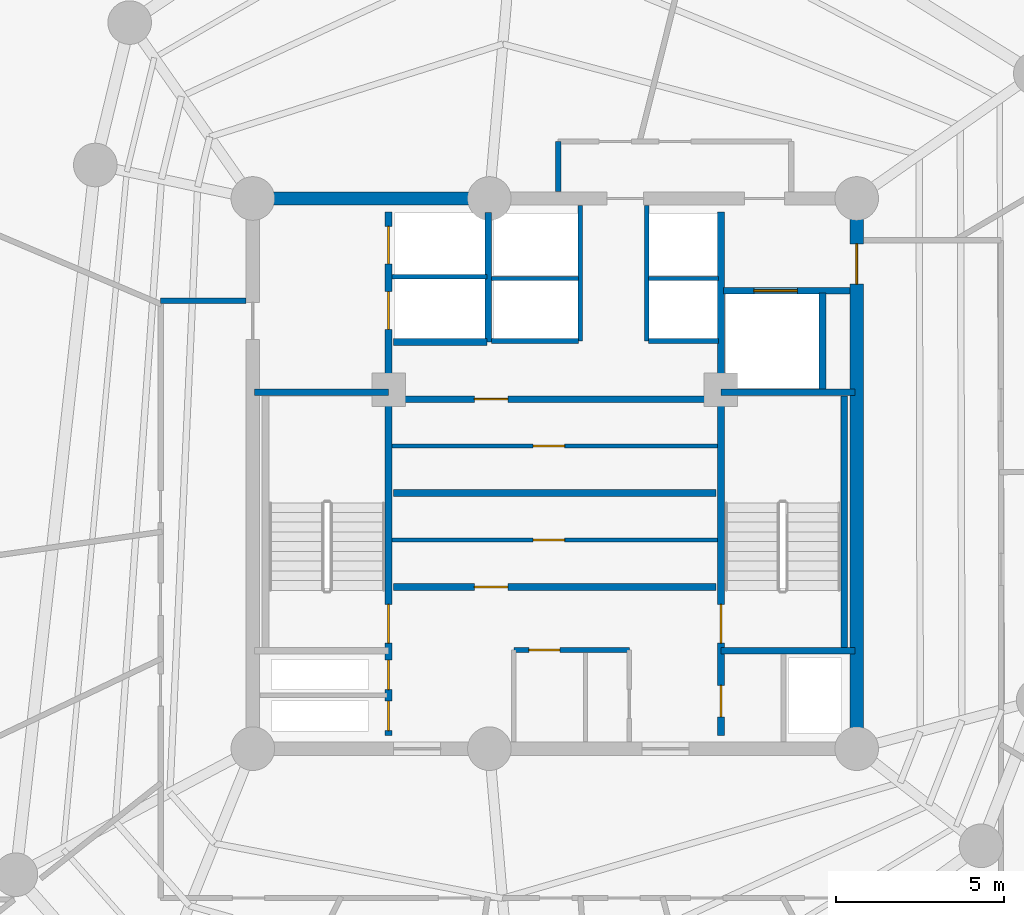
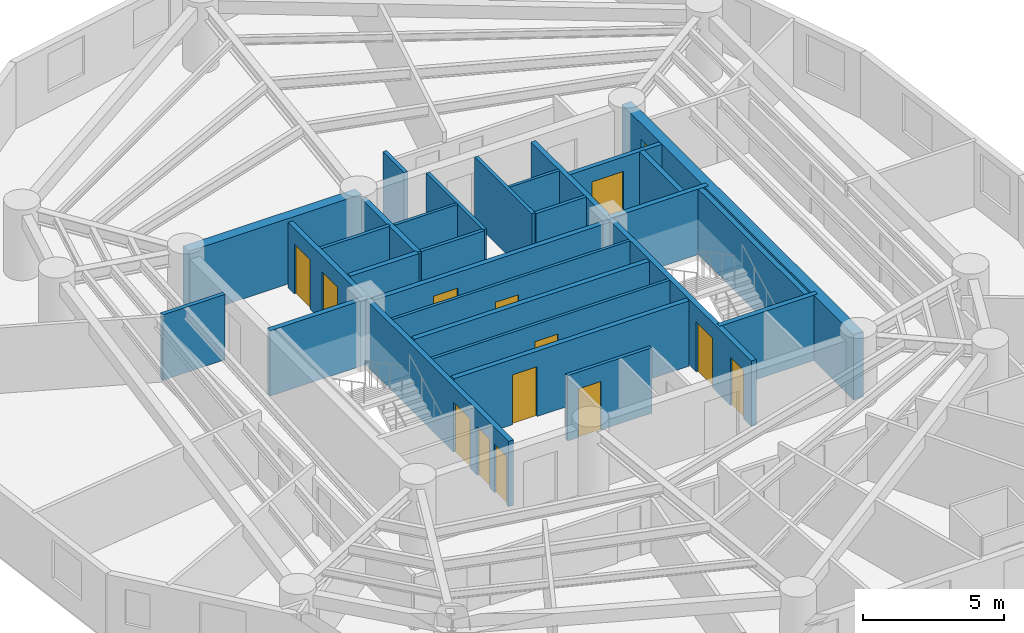
# One storey, part 4 of 7: 27 walls, 14 doors, 14 openings.
"""IFC4 building model written with IfcOpenShell, lengths in metres."""

from ifc_helpers import new_model, si_unit, direction, frame, frame_2d, origin, origin_with_axes, place, context, subcontext, project, spatial, rectangle, extrude, source, transform, mapped, material, layer, layer_set, type_object, element, fill, save


model = new_model("IFC4")

# Units and contexts
model_context = context("Model", 3, precision=1e-05, world=origin(), true_north=direction((0.0, 1.0)))
body_context = subcontext(model_context, "Body", "Model", "MODEL_VIEW")
ifc_project = project(units=[si_unit("LENGTHUNIT", "METRE"), si_unit("AREAUNIT", "SQUARE_METRE"), si_unit("VOLUMEUNIT", "CUBIC_METRE"), si_unit("PLANEANGLEUNIT", "RADIAN"), si_unit("MASSUNIT", "GRAM", prefix="KILO")], contexts=[model_context])

# Site, building, storey
site_placement = place(None, origin())
site = spatial("IfcSite", under=ifc_project, at=site_placement, CompositionType="ELEMENT")
building_placement = place(site_placement, origin())
building = spatial("IfcBuilding", under=site, at=building_placement, Name="Karkom Vertical University and Central Library", CompositionType="ELEMENT")
storey_placement = place(building_placement, frame((0.0, 0.0, 202.300048828125)))
storey = spatial("IfcBuildingStorey", under=building, at=storey_placement, Name="L59", CompositionType="ELEMENT", Elevation=202.300048828125)

# Walls
ifc_material_1 = material(Name="Insulated metal-stud drywall 160mm", Category="gypsum")
ifc_layer_1 = layer(ifc_material_1, 0.159912109375)
ifc_layer_set_1 = layer_set([ifc_layer_1], Name="Insulated metal-stud drywall 160mm")
wall_type_1 = type_object("IfcWallType", Name="INT-WL-COR-160", PredefinedType="PARTITIONING", material=ifc_layer_set_1)
wall_1_placement = place(storey_placement, frame((16.75, 31.64990234375, 0.0), z_axis=(0.0, 0.0, 1.0), x_axis=(1.0, 0.0, 0.0)))
element("IfcWall", 1, at=wall_1_placement, inside=storey, type_object=wall_type_1, Name="Level 59 Interior Partition Wall L59-CORW-CW-003", PredefinedType="PARTITIONING", context=body_context, shape_type="SweptSolid", body=[
    extrude(rectangle(XDim=2.54296875, YDim=0.159912109375, at=frame_2d((1.271484375, 0.0))), origin(), (0.0, 0.0, 1.0), 2.824951171875),
])
wall_2_placement = place(storey_placement, frame((28.60009765625, 34.906982421875, 0.0), z_axis=(0.0, 0.0, 1.0), x_axis=(0.0, 1.0, 0.0)))
element("IfcWall", 2, at=wall_2_placement, inside=storey, type_object=wall_type_1, Name="Level 59 Interior Partition Wall L59-CORW-CW-006", PredefinedType="PARTITIONING", context=body_context, shape_type="SweptSolid", body=[
    extrude(rectangle(XDim=1.492919921875, YDim=0.159912109375, at=frame_2d((0.74658203125, 0.0))), origin(), (0.0, 0.0, 1.0), 2.824951171875),
])

# Wall, opening, door
ifc_material_2 = material(Name="Moisture-resistant drywall 120mm", Category="gypsum")
ifc_layer_2 = layer(ifc_material_2, 0.1201171875)
ifc_layer_set_2 = layer_set([ifc_layer_2], Name="Moisture-resistant drywall 120mm")
wall_type_2 = type_object("IfcWallType", Name="INT-WL-INT-120F", PredefinedType="PARTITIONING", material=ifc_layer_set_2)
wall_3_placement = place(storey_placement, frame((23.652099609375, 24.52001953125, 0.0), z_axis=(0.0, 0.0, 1.0), x_axis=(1.0, 0.0, 0.0)))
wall_3 = element("IfcWall", 3, at=wall_3_placement, inside=storey, type_object=wall_type_2, Name="Level 59 Interior Partition Wall L59-CW-B1-K3H", PredefinedType="PARTITIONING", context=body_context, shape_type="SweptSolid", body=[
    extrude(rectangle(XDim=9.697509765625, YDim=0.1201171875, at=frame_2d((4.8486328125, 0.0))), origin(), (0.0, 0.0, 1.0), 2.824951171875),
])
opening_1_placement = place(wall_3_placement, frame((4.199951171875, 0.0, 0.0)))
opening_1 = element("IfcOpeningElement", 4, at=opening_1_placement, cuts=wall_3, Name="Opening D-WC1", PredefinedType="OPENING", context=body_context, shape_type="SweptSolid", body=[
    extrude(rectangle(XDim=0.93994140625, YDim=2.10009765625, at=frame_2d((0.469970703125, 1.050048828125))), frame((0.0, 0.070068359375, 0.0), z_axis=(0.0, -1.0, 0.0), x_axis=(1.0, 0.0, 0.0)), (0.0, 0.0, 1.0), 0.14013671875),
])
ifc_material_3 = material(Name="Fire-rated laminate moisture-resistant door", Category="wood")
door_type_1 = type_object("IfcDoorType", Name="INT-DR-WC1", OperationType="NOTDEFINED", PredefinedType="DOOR", material=ifc_material_3)
shared_shape_1 = source(origin_with_axes(), body_context, "Body", "SweptSolid", [
    extrude(rectangle(XDim=0.93994140625, YDim=2.10009765625, at=frame_2d((0.469970703125, 1.050048828125))), frame((0.0, 0.02490234375, 0.0), z_axis=(0.0, -1.0, 0.0), x_axis=(1.0, 0.0, 0.0)), (0.0, 0.0, 1.0), 0.050048828125),
])
door_1_placement = place(opening_1_placement, origin())
door_1 = element("IfcDoor", 5, at=door_1_placement, inside=storey, type_object=door_type_1, Name="Level 59 B1 Core WC Strip Door", OperationType="SINGLE_SWING_RIGHT", OverallHeight=2.10009765625, OverallWidth=0.93994140625, PredefinedType="DOOR", context=body_context, shape_type="MappedRepresentation", body=[
    mapped(shared_shape_1, transform((0.0, 0.0, 0.0), scale=1.0)),
])
fill(opening_1, door_1)

wall_4_placement = place(storey_placement, frame((23.652099609375, 27.320068359375, 0.0), z_axis=(0.0, 0.0, 1.0), x_axis=(1.0, 0.0, 0.0)))
wall_4 = element("IfcWall", 6, at=wall_4_placement, inside=storey, type_object=wall_type_2, Name="Level 59 Interior Partition Wall L59-CW-B2-K3H", PredefinedType="PARTITIONING", context=body_context, shape_type="SweptSolid", body=[
    extrude(rectangle(XDim=9.697509765625, YDim=0.1201171875, at=frame_2d((4.8486328125, 0.0))), origin(), (0.0, 0.0, 1.0), 2.824951171875),
])
opening_2_placement = place(wall_4_placement, frame((4.199951171875, 0.0, 0.0)))
opening_2 = element("IfcOpeningElement", 7, at=opening_2_placement, cuts=wall_4, Name="Opening D-WC1", PredefinedType="OPENING", context=body_context, shape_type="SweptSolid", body=[
    extrude(rectangle(XDim=0.93994140625, YDim=2.10009765625, at=frame_2d((0.469970703125, 1.050048828125))), frame((0.0, 0.070068359375, 0.0), z_axis=(0.0, -1.0, 0.0), x_axis=(1.0, 0.0, 0.0)), (0.0, 0.0, 1.0), 0.14013671875),
])
door_2_placement = place(opening_2_placement, origin())
door_2 = element("IfcDoor", 8, at=door_2_placement, inside=storey, type_object=door_type_1, Name="Level 59 B2 Core WC Strip Door", OperationType="SINGLE_SWING_RIGHT", OverallHeight=2.10009765625, OverallWidth=0.93994140625, PredefinedType="DOOR", context=body_context, shape_type="MappedRepresentation", body=[
    mapped(shared_shape_1, transform((0.0, 0.0, 0.0), scale=1.0)),
])
fill(opening_2, door_2)

# Walls
ifc_layer_3 = layer(ifc_material_2, 0.1201171875)
ifc_layer_set_3 = layer_set([ifc_layer_3], Name="Moisture-resistant drywall 120mm")
wall_type_3 = type_object("IfcWallType", Name="INT-WL-INT-120H", PredefinedType="PARTITIONING", material=ifc_layer_set_3)
wall_5_placement = place(storey_placement, frame((26.6201171875, 32.320068359375, 0.0), z_axis=(0.0, 0.0, 1.0), x_axis=(1.0, 0.0, 0.0)))
element("IfcWall", 9, at=wall_5_placement, inside=storey, type_object=wall_type_3, Name="Level 59 Interior Partition Wall L59-CW-PH-MW", PredefinedType="PARTITIONING", context=body_context, shape_type="SweptSolid", body=[
    extrude(rectangle(XDim=2.579833984375, YDim=0.1201171875, at=frame_2d((1.2900390625, 0.0))), origin(), (0.0, 0.0, 1.0), 2.824951171875),
])
wall_6_placement = place(storey_placement, frame((31.300048828125, 32.320068359375, 0.0), z_axis=(0.0, 0.0, 1.0), x_axis=(1.0, 0.0, 0.0)))
element("IfcWall", 10, at=wall_6_placement, inside=storey, type_object=wall_type_3, Name="Level 59 Interior Partition Wall L59-CW-PH-ME", PredefinedType="PARTITIONING", context=body_context, shape_type="SweptSolid", body=[
    extrude(rectangle(XDim=2.074951171875, YDim=0.1201171875, at=frame_2d((1.03759765625, 0.0))), origin(), (0.0, 0.0, 1.0), 2.824951171875),
])

# Wall, opening, door
ifc_material_4 = material(Name="Metal-stud gypsum partition 140mm", Category="gypsum")
ifc_layer_4 = layer(ifc_material_4, 0.139892578125)
ifc_layer_set_4 = layer_set([ifc_layer_4], Name="Metal-stud gypsum partition 140mm")
wall_type_4 = type_object("IfcWallType", Name="INT-WL-SUB-140", PredefinedType="PARTITIONING", material=ifc_layer_set_4)
wall_7_placement = place(storey_placement, frame((27.280029296875, 21.239990234375, 0.0), z_axis=(0.0, 0.0, 1.0), x_axis=(1.0, 0.0, 0.0)))
wall_7 = element("IfcWall", 11, at=wall_7_placement, inside=storey, type_object=wall_type_4, Name="Level 59 Interior Partition Wall L59-CW-KBAY-N", PredefinedType="PARTITIONING", context=body_context, shape_type="SweptSolid", body=[
    extrude(rectangle(XDim=3.43994140625, YDim=0.139892578125, at=frame_2d((1.719970703125, 0.0))), origin(), (0.0, 0.0, 1.0), 2.824951171875),
])
opening_3_placement = place(wall_7_placement, frame((0.449951171875, 0.0, 0.0)))
opening_3 = element("IfcOpeningElement", 12, at=opening_3_placement, cuts=wall_7, Name="Opening D-SVC1", PredefinedType="OPENING", context=body_context, shape_type="SweptSolid", body=[
    extrude(rectangle(XDim=0.919921875, YDim=2.10009765625, at=frame_2d((0.4599609375, 1.050048828125))), frame((0.0, 0.080078125, 0.0), z_axis=(0.0, -1.0, 0.0), x_axis=(1.0, 0.0, 0.0)), (0.0, 0.0, 1.0), 0.159912109375),
])
ifc_material_5 = material(Name="Painted timber service door", Category="wood")
door_type_2 = type_object("IfcDoorType", Name="INT-DR-SVC1", OperationType="NOTDEFINED", PredefinedType="DOOR", material=ifc_material_5)
shared_shape_2 = source(origin_with_axes(), body_context, "Body", "SweptSolid", [
    extrude(rectangle(XDim=0.919921875, YDim=2.10009765625, at=frame_2d((0.4599609375, 1.050048828125))), frame((0.0, 0.02490234375, 0.0), z_axis=(0.0, -1.0, 0.0), x_axis=(1.0, 0.0, 0.0)), (0.0, 0.0, 1.0), 0.050048828125),
])
door_3_placement = place(opening_3_placement, origin())
door_3 = element("IfcDoor", 13, at=door_3_placement, inside=storey, type_object=door_type_2, Name="Level 59 Copy Room Door", OperationType="SINGLE_SWING_LEFT", OverallHeight=2.10009765625, OverallWidth=0.919921875, PredefinedType="DOOR", context=body_context, shape_type="MappedRepresentation", body=[
    mapped(shared_shape_2, transform((0.0, 0.0, 0.0), scale=1.0)),
])
fill(opening_3, door_3)

# Walls
ifc_layer_5 = layer(ifc_material_4, 0.139892578125)
ifc_layer_set_5 = layer_set([ifc_layer_5], Name="Metal-stud gypsum partition 140mm")
wall_type_5 = type_object("IfcWallType", Name="INT-WL-SUB-140H", PredefinedType="PARTITIONING", material=ifc_layer_set_5)
for number, where, z_axis, x_axis, name in (
    (14, (29.260009765625, 30.449951171875, 0.0), (0.0, 0.0, 1.0), (0.0, 1.0, 0.0), "Level 59 Interior Partition Wall L59-CW-PH-W"),
    (15, (31.239990234375, 30.449951171875, 0.0), (0.0, 0.0, 1.0), (0.0, 1.0, 0.0), "Level 59 Interior Partition Wall L59-CW-PH-E"),
):
    element("IfcWall", number, at=place(storey_placement, frame(where, z_axis=z_axis, x_axis=x_axis)), inside=storey, type_object=wall_type_5, Name=name, PredefinedType="PARTITIONING", context=body_context, shape_type="SweptSolid", body=[
        extrude(rectangle(XDim=4.04296875, YDim=0.139892578125, at=frame_2d((2.021484375, 0.0))), origin(), (0.0, 0.0, 1.0), 2.824951171875),
    ])
wall_8_placement = place(storey_placement, frame((26.6201171875, 30.449951171875, 0.0), z_axis=(0.0, 0.0, 1.0), x_axis=(1.0, 0.0, 0.0)))
element("IfcWall", 16, at=wall_8_placement, inside=storey, type_object=wall_type_5, Name="Level 59 Interior Partition Wall L59-CW-PH-S1", PredefinedType="PARTITIONING", context=body_context, shape_type="SweptSolid", body=[
    extrude(rectangle(XDim=2.579833984375, YDim=0.139892578125, at=frame_2d((1.2900390625, 0.0))), origin(), (0.0, 0.0, 1.0), 2.824951171875),
])
wall_9_placement = place(storey_placement, frame((31.300048828125, 30.449951171875, 0.0), z_axis=(0.0, 0.0, 1.0), x_axis=(1.0, 0.0, 0.0)))
element("IfcWall", 17, at=wall_9_placement, inside=storey, type_object=wall_type_5, Name="Level 59 Interior Partition Wall L59-CW-PH-S2", PredefinedType="PARTITIONING", context=body_context, shape_type="SweptSolid", body=[
    extrude(rectangle(XDim=2.074951171875, YDim=0.139892578125, at=frame_2d((1.03759765625, 0.0))), origin(), (0.0, 0.0, 1.0), 2.824951171875),
])
ifc_layer_6 = layer(ifc_material_4, 0.139892578125)
ifc_layer_set_6 = layer_set([ifc_layer_6], Name="Metal-stud gypsum partition 140mm")
wall_type_6 = type_object("IfcWallType", Name="INT-WL-SUB-140X", PredefinedType="PARTITIONING", material=ifc_layer_set_6)
wall_10_placement = place(storey_placement, frame((23.652099609375, 32.3701171875, 0.0), z_axis=(0.0, 0.0, 1.0), x_axis=(1.0, 0.0, 0.0)))
element("IfcWall", 18, at=wall_10_placement, inside=storey, type_object=wall_type_6, Name="Level 59 Interior Partition Wall L59-CW-FFL-M", PredefinedType="PARTITIONING", context=body_context, shape_type="SweptSolid", body=[
    extrude(rectangle(XDim=2.827880859375, YDim=0.139892578125, at=frame_2d((1.4140625, 0.0))), origin(), (0.0, 0.0, 1.0), 2.824951171875),
])

# Wall, opening, door
ifc_material_6 = material(Name="Twin-stud acoustic drywall 180mm", Category="gypsum")
ifc_layer_7 = layer(ifc_material_6, 0.179931640625)
ifc_layer_set_7 = layer_set([ifc_layer_7], Name="Twin-stud acoustic drywall 180mm")
wall_type_7 = type_object("IfcWallType", Name="INT-WL-TEN-180F", PredefinedType="PARTITIONING", material=ifc_layer_set_7)
wall_11_placement = place(storey_placement, frame((33.534912109375, 31.949951171875, 0.0), z_axis=(0.0, 0.0, 1.0), x_axis=(1.0, 0.0, 0.0)))
wall_11 = element("IfcWall", 19, at=wall_11_placement, inside=storey, type_object=wall_type_7, Name="Level 59 Interior Partition Wall L59-CW-SVL-N", PredefinedType="PARTITIONING", context=body_context, shape_type="SweptSolid", body=[
    extrude(rectangle(XDim=3.7587890625, YDim=0.179931640625, at=frame_2d((1.87939453125, 0.0))), origin(), (0.0, 0.0, 1.0), 2.824951171875),
])
opening_4_placement = place(wall_11_placement, frame((0.89990234375, 0.0, 0.0)))
opening_4 = element("IfcOpeningElement", 20, at=opening_4_placement, cuts=wall_11, Name="Opening LD-SV1", PredefinedType="OPENING", context=body_context, shape_type="SweptSolid", body=[
    extrude(rectangle(XDim=1.300048828125, YDim=2.199951171875, at=frame_2d((0.64990234375, 1.10009765625))), frame((0.0, 0.10009765625, 0.0), z_axis=(0.0, -1.0, 0.0), x_axis=(1.0, 0.0, 0.0)), (0.0, 0.0, 1.0), 0.199951171875),
])
ifc_material_7 = material(Name="Brushed stainless-steel landing door", Category="steel")
door_type_3 = type_object("IfcDoorType", Name="INT-DR-LD-SV1", OperationType="SLIDING_TO_LEFT", PredefinedType="DOOR", material=ifc_material_7)
shared_shape_3 = source(origin_with_axes(), body_context, "Body", "SweptSolid", [
    extrude(rectangle(XDim=1.300048828125, YDim=2.199951171875, at=frame_2d((0.64990234375, 1.10009765625))), frame((0.0, 0.02490234375, 0.0), z_axis=(0.0, -1.0, 0.0), x_axis=(1.0, 0.0, 0.0)), (0.0, 0.0, 1.0), 0.050048828125),
])
door_4_placement = place(opening_4_placement, origin())
door_4 = element("IfcDoor", 21, at=door_4_placement, inside=storey, type_object=door_type_3, Name="Level 59 Service Lift Landing Door LD-SV1", OperationType="SLIDING_TO_LEFT", OverallHeight=2.199951171875, OverallWidth=1.300048828125, PredefinedType="DOOR", context=body_context, shape_type="MappedRepresentation", body=[
    mapped(shared_shape_3, transform((0.0, 0.0, 0.0), scale=1.0)),
])
fill(opening_4, door_4)

ifc_material_8 = material(Name="Concrete C50/60", Category="concrete")
ifc_layer_8 = layer(ifc_material_8, 0.39990234375)
ifc_layer_set_8 = layer_set([ifc_layer_8], Name="Concrete C50/60")
wall_type_8 = type_object("IfcWallType", Name="STR-WL-CW-400", PredefinedType="SHEAR", material=ifc_layer_set_8)
wall_12_placement = place(storey_placement, frame((37.5, 18.300048828125, 0.0), z_axis=(0.0, 0.0, 1.0), x_axis=(0.0, 1.0, 0.0)))
wall_12 = element("IfcWall", 22, at=wall_12_placement, inside=storey, type_object=wall_type_8, Name="Level 59 Central Core Shear Wall EW", PredefinedType="SHEAR", context=body_context, shape_type="SweptSolid", body=[
    extrude(rectangle(XDim=16.39990234375, YDim=0.39990234375, at=frame_2d((8.199951171875, 0.0))), origin(), (0.0, 0.0, 1.0), 2.824951171875),
])
opening_5_placement = place(wall_12_placement, frame((13.85009765625, 0.0, 0.0)))
opening_5 = element("IfcOpeningElement", 23, at=opening_5_placement, cuts=wall_12, Name="Opening FD-SUB1", PredefinedType="OPENING", context=body_context, shape_type="SweptSolid", body=[
    extrude(rectangle(XDim=1.199951171875, YDim=2.14990234375, at=frame_2d((0.60009765625, 1.074951171875))), frame((0.0, 0.2099609375, 0.0), z_axis=(0.0, -1.0, 0.0), x_axis=(1.0, 0.0, 0.0)), (0.0, 0.0, 1.0), 0.419921875),
])
ifc_material_9 = material(Name="Painted steel fire door", Category="steel")
door_type_4 = type_object("IfcDoorType", Name="INT-DR-SUB1", OperationType="NOTDEFINED", PredefinedType="DOOR", material=ifc_material_9)
shared_shape_4 = source(origin_with_axes(), body_context, "Body", "SweptSolid", [
    extrude(rectangle(XDim=1.199951171875, YDim=2.14990234375, at=frame_2d((0.60009765625, 1.074951171875))), frame((0.0, 0.02490234375, 0.0), z_axis=(0.0, -1.0, 0.0), x_axis=(1.0, 0.0, 0.0)), (0.0, 0.0, 1.0), 0.050048828125),
])
door_5_placement = place(opening_5_placement, origin())
door_5 = element("IfcDoor", 24, at=door_5_placement, inside=storey, type_object=door_type_4, Name="Level 59 East Corridor Service Lobby Door", OperationType="SINGLE_SWING_RIGHT", OverallHeight=2.14990234375, OverallWidth=1.199951171875, PredefinedType="DOOR", context=body_context, shape_type="MappedRepresentation", body=[
    mapped(shared_shape_4, transform((0.0, 0.0, 0.0), scale=1.0)),
])
fill(opening_5, door_5)

# Wall
wall_13_placement = place(storey_placement, frame((26.550048828125, 34.699951171875, 0.0), z_axis=(0.0, 0.0, 1.0), x_axis=(-1.0, 0.0, 0.0)))
element("IfcWall", 25, at=wall_13_placement, inside=storey, type_object=wall_type_8, Name="Level 59 Central Core Shear Wall NW2", PredefinedType="SHEAR", context=body_context, shape_type="SweptSolid", body=[
    extrude(rectangle(XDim=7.050048828125, YDim=0.39990234375, at=frame_2d((3.52490234375, 0.0))), origin(), (0.0, 0.0, 1.0), 2.824951171875),
])

# Wall, openings, doors
ifc_material_10 = material(Name="Concrete C45/55", Category="concrete")
ifc_layer_9 = layer(ifc_material_10, 0.199951171875)
ifc_layer_set_9 = layer_set([ifc_layer_9], Name="Concrete C45/55")
wall_type_9 = type_object("IfcWallType", Name="STR-WL-ST-200", PredefinedType="SHEAR", material=ifc_layer_set_9)
wall_14_placement = place(storey_placement, frame((23.544921875, 18.699951171875, 0.0), z_axis=(0.0, 0.0, 1.0), x_axis=(0.0, 1.0, 0.0)))
wall_14 = element("IfcWall", 26, at=wall_14_placement, inside=storey, type_object=wall_type_9, Name="Level 59 Core Shaft Wall L59-CW-ST1-E", PredefinedType="SHEAR", context=body_context, shape_type="SweptSolid", body=[
    extrude(rectangle(XDim=15.60009765625, YDim=0.199951171875, at=frame_2d((7.800048828125, 0.0))), origin(), (0.0, 0.0, 1.0), 2.824951171875),
])
opening_6_placement = place(wall_14_placement, frame((2.75, 0.0, 0.0)))
opening_6 = element("IfcOpeningElement", 27, at=opening_6_placement, cuts=wall_14, Name="Opening FD-ST1", PredefinedType="OPENING", context=body_context, shape_type="SweptSolid", body=[
    extrude(rectangle(XDim=1.14990234375, YDim=2.14990234375, at=frame_2d((0.574951171875, 1.074951171875))), frame((0.0, 0.10986328125, 0.0), z_axis=(0.0, -1.0, 0.0), x_axis=(1.0, 0.0, 0.0)), (0.0, 0.0, 1.0), 0.219970703125),
])
opening_7_placement = place(wall_14_placement, frame((0.139892578125, 0.0, 0.0)))
opening_7 = element("IfcOpeningElement", 28, at=opening_7_placement, cuts=wall_14, Name="Opening FD-RIS", PredefinedType="OPENING", context=body_context, shape_type="SweptSolid", body=[
    extrude(rectangle(XDim=0.8798828125, YDim=2.10009765625, at=frame_2d((0.43994140625, 1.050048828125))), frame((0.0, 0.10986328125, 0.0), z_axis=(0.0, -1.0, 0.0), x_axis=(1.0, 0.0, 0.0)), (0.0, 0.0, 1.0), 0.219970703125),
])
opening_8_placement = place(wall_14_placement, frame((1.360107421875, 0.0, 0.0)))
opening_8 = element("IfcOpeningElement", 29, at=opening_8_placement, cuts=wall_14, Name="Opening FD-RIS", PredefinedType="OPENING", context=body_context, shape_type="SweptSolid", body=[
    extrude(rectangle(XDim=0.8798828125, YDim=2.10009765625, at=frame_2d((0.43994140625, 1.050048828125))), frame((0.0, 0.10986328125, 0.0), z_axis=(0.0, -1.0, 0.0), x_axis=(1.0, 0.0, 0.0)), (0.0, 0.0, 1.0), 0.219970703125),
])
opening_9_placement = place(wall_14_placement, frame((12.10009765625, 0.0, 0.0)))
opening_9 = element("IfcOpeningElement", 30, at=opening_9_placement, cuts=wall_14, Name="Opening LD-FFL", PredefinedType="OPENING", context=body_context, shape_type="SweptSolid", body=[
    extrude(rectangle(XDim=1.1201171875, YDim=2.14990234375, at=frame_2d((0.56005859375, 1.074951171875))), frame((0.0, 0.10986328125, 0.0), z_axis=(0.0, -1.0, 0.0), x_axis=(1.0, 0.0, 0.0)), (0.0, 0.0, 1.0), 0.219970703125),
])
opening_10_placement = place(wall_14_placement, frame((14.050048828125, 0.0, 0.0)))
opening_10 = element("IfcOpeningElement", 31, at=opening_10_placement, cuts=wall_14, Name="Opening LD-FFL", PredefinedType="OPENING", context=body_context, shape_type="SweptSolid", body=[
    extrude(rectangle(XDim=1.1201171875, YDim=2.14990234375, at=frame_2d((0.56005859375, 1.074951171875))), frame((0.0, 0.10986328125, 0.0), z_axis=(0.0, -1.0, 0.0), x_axis=(1.0, 0.0, 0.0)), (0.0, 0.0, 1.0), 0.219970703125),
])
ifc_material_11 = material(Name="Painted steel acoustic fire door", Category="steel")
door_type_5 = type_object("IfcDoorType", Name="INT-DR-ST1", OperationType="NOTDEFINED", PredefinedType="DOOR", material=ifc_material_11)
shared_shape_5 = source(origin_with_axes(), body_context, "Body", "SweptSolid", [
    extrude(rectangle(XDim=1.14990234375, YDim=2.14990234375, at=frame_2d((0.574951171875, 1.074951171875))), frame((0.0, 0.02490234375, 0.0), z_axis=(0.0, -1.0, 0.0), x_axis=(1.0, 0.0, 0.0)), (0.0, 0.0, 1.0), 0.050048828125),
])
door_6_placement = place(opening_6_placement, origin())
door_6 = element("IfcDoor", 32, at=door_6_placement, inside=storey, type_object=door_type_5, Name="Level 59 Stair ST-1 Fire Door", OperationType="SINGLE_SWING_LEFT", OverallHeight=2.14990234375, OverallWidth=1.14990234375, PredefinedType="DOOR", context=body_context, shape_type="MappedRepresentation", body=[
    mapped(shared_shape_5, transform((0.0, 0.0, 0.0), scale=1.0)),
])
fill(opening_6, door_6)
ifc_material_12 = material(Name="Painted steel riser access door", Category="steel")
door_type_6 = type_object("IfcDoorType", Name="INT-DR-RIS", OperationType="NOTDEFINED", PredefinedType="DOOR", material=ifc_material_12)
shared_shape_6 = source(origin_with_axes(), body_context, "Body", "SweptSolid", [
    extrude(rectangle(XDim=0.8798828125, YDim=2.10009765625, at=frame_2d((0.43994140625, 1.050048828125))), frame((0.0, 0.02490234375, 0.0), z_axis=(0.0, -1.0, 0.0), x_axis=(1.0, 0.0, 0.0)), (0.0, 0.0, 1.0), 0.050048828125),
])
door_7_placement = place(opening_7_placement, origin())
door_7 = element("IfcDoor", 33, at=door_7_placement, inside=storey, type_object=door_type_6, Name="Level 59 Electrical Riser Access Door", OperationType="SINGLE_SWING_RIGHT", OverallHeight=2.10009765625, OverallWidth=0.8798828125, PredefinedType="DOOR", context=body_context, shape_type="MappedRepresentation", body=[
    mapped(shared_shape_6, transform((0.0, 0.0, 0.0), scale=1.0)),
])
fill(opening_7, door_7)
door_8_placement = place(opening_8_placement, origin())
door_8 = element("IfcDoor", 34, at=door_8_placement, inside=storey, type_object=door_type_6, Name="Level 59 Telecom Riser Access Door", OperationType="SINGLE_SWING_LEFT", OverallHeight=2.10009765625, OverallWidth=0.8798828125, PredefinedType="DOOR", context=body_context, shape_type="MappedRepresentation", body=[
    mapped(shared_shape_6, transform((0.0, 0.0, 0.0), scale=1.0)),
])
fill(opening_8, door_8)
ifc_material_13 = material(Name="Fire-rated stainless-steel landing door", Category="steel")
door_type_7 = type_object("IfcDoorType", Name="INT-DR-LD-FFL", OperationType="SLIDING_TO_LEFT", PredefinedType="DOOR", material=ifc_material_13)
shared_shape_7 = source(origin_with_axes(), body_context, "Body", "SweptSolid", [
    extrude(rectangle(XDim=1.1201171875, YDim=2.14990234375, at=frame_2d((0.56005859375, 1.074951171875))), frame((0.0, 0.02490234375, 0.0), z_axis=(0.0, -1.0, 0.0), x_axis=(1.0, 0.0, 0.0)), (0.0, 0.0, 1.0), 0.050048828125),
])
door_9_placement = place(opening_9_placement, origin())
door_9 = element("IfcDoor", 35, at=door_9_placement, inside=storey, type_object=door_type_7, Name="Level 59 Firefighting Lift FFL-1 Landing Door", OperationType="SLIDING_TO_LEFT", OverallHeight=2.14990234375, OverallWidth=1.1201171875, PredefinedType="DOOR", context=body_context, shape_type="MappedRepresentation", body=[
    mapped(shared_shape_7, transform((0.0, 0.0, 0.0), scale=1.0)),
])
fill(opening_9, door_9)
door_10_placement = place(opening_10_placement, origin())
door_10 = element("IfcDoor", 36, at=door_10_placement, inside=storey, type_object=door_type_7, Name="Level 59 Firefighting Lift FFL-2 Landing Door", OperationType="SLIDING_TO_RIGHT", OverallHeight=2.14990234375, OverallWidth=1.1201171875, PredefinedType="DOOR", context=body_context, shape_type="MappedRepresentation", body=[
    mapped(shared_shape_7, transform((0.0, 0.0, 0.0), scale=1.0)),
])
fill(opening_10, door_10)

wall_15_placement = place(storey_placement, frame((33.455078125, 18.699951171875, 0.0), z_axis=(0.0, 0.0, 1.0), x_axis=(0.0, 1.0, 0.0)))
wall_15 = element("IfcWall", 37, at=wall_15_placement, inside=storey, type_object=wall_type_9, Name="Level 59 Core Shaft Wall L59-CW-ST2-W", PredefinedType="SHEAR", context=body_context, shape_type="SweptSolid", body=[
    extrude(rectangle(XDim=15.60009765625, YDim=0.199951171875, at=frame_2d((7.800048828125, 0.0))), origin(), (0.0, 0.0, 1.0), 2.824951171875),
])
opening_11_placement = place(wall_15_placement, frame((2.75, 0.0, 0.0)))
opening_11 = element("IfcOpeningElement", 38, at=opening_11_placement, cuts=wall_15, Name="Opening FD-ST1", PredefinedType="OPENING", context=body_context, shape_type="SweptSolid", body=[
    extrude(rectangle(XDim=1.14990234375, YDim=2.14990234375, at=frame_2d((0.574951171875, 1.074951171875))), frame((0.0, 0.10986328125, 0.0), z_axis=(0.0, -1.0, 0.0), x_axis=(1.0, 0.0, 0.0)), (0.0, 0.0, 1.0), 0.219970703125),
])
opening_12_placement = place(wall_15_placement, frame((0.550048828125, 0.0, 0.0)))
opening_12 = element("IfcOpeningElement", 39, at=opening_12_placement, cuts=wall_15, Name="Opening D-WC1", PredefinedType="OPENING", context=body_context, shape_type="SweptSolid", body=[
    extrude(rectangle(XDim=0.93994140625, YDim=2.10009765625, at=frame_2d((0.469970703125, 1.050048828125))), frame((0.0, 0.10986328125, 0.0), z_axis=(0.0, -1.0, 0.0), x_axis=(1.0, 0.0, 0.0)), (0.0, 0.0, 1.0), 0.219970703125),
])
door_11_placement = place(opening_11_placement, origin())
door_11 = element("IfcDoor", 40, at=door_11_placement, inside=storey, type_object=door_type_5, Name="Level 59 Stair ST-2 Fire Door", OperationType="SINGLE_SWING_RIGHT", OverallHeight=2.14990234375, OverallWidth=1.14990234375, PredefinedType="DOOR", context=body_context, shape_type="MappedRepresentation", body=[
    mapped(shared_shape_5, transform((0.0, 0.0, 0.0), scale=1.0)),
])
fill(opening_11, door_11)
door_12_placement = place(opening_12_placement, origin())
door_12 = element("IfcDoor", 41, at=door_12_placement, inside=storey, type_object=door_type_1, Name="Level 59 Accessible WC Door", OperationType="SINGLE_SWING_RIGHT", OverallHeight=2.10009765625, OverallWidth=0.93994140625, PredefinedType="DOOR", context=body_context, shape_type="MappedRepresentation", body=[
    mapped(shared_shape_1, transform((0.0, 0.0, 0.0), scale=1.0)),
])
fill(opening_12, door_12)

# Wall, opening, door
wall_16_placement = place(storey_placement, frame((23.699951171875, 23.1201171875, 0.0), z_axis=(0.0, 0.0, 1.0), x_axis=(1.0, 0.0, 0.0)))
wall_16 = element("IfcWall", 42, at=wall_16_placement, inside=storey, type_object=wall_type_9, Name="Level 59 Core Shaft Wall L59-CW-B1-S", PredefinedType="SHEAR", context=body_context, shape_type="SweptSolid", body=[
    extrude(rectangle(XDim=9.60009765625, YDim=0.199951171875, at=frame_2d((4.800048828125, 0.0))), origin(), (0.0, 0.0, 1.0), 2.824951171875),
])
opening_13_placement = place(wall_16_placement, frame((2.39990234375, 0.0, 0.0)))
opening_13 = element("IfcOpeningElement", 43, at=opening_13_placement, cuts=wall_16, Name="Opening D-STR1", PredefinedType="OPENING", context=body_context, shape_type="SweptSolid", body=[
    extrude(rectangle(XDim=1.0, YDim=2.14990234375, at=frame_2d((0.5, 1.074951171875))), frame((0.0, 0.10986328125, 0.0), z_axis=(0.0, -1.0, 0.0), x_axis=(1.0, 0.0, 0.0)), (0.0, 0.0, 1.0), 0.219970703125),
])
ifc_material_14 = material(Name="Solid-core hardwood fire door", Category="wood")
door_type_8 = type_object("IfcDoorType", Name="INT-DR-STR1", OperationType="NOTDEFINED", PredefinedType="DOOR", material=ifc_material_14)
shared_shape_8 = source(origin_with_axes(), body_context, "Body", "SweptSolid", [
    extrude(rectangle(XDim=1.0, YDim=2.14990234375, at=frame_2d((0.5, 1.074951171875))), frame((0.0, 0.02490234375, 0.0), z_axis=(0.0, -1.0, 0.0), x_axis=(1.0, 0.0, 0.0)), (0.0, 0.0, 1.0), 0.050048828125),
])
door_13_placement = place(opening_13_placement, origin())
door_13 = element("IfcDoor", 44, at=door_13_placement, inside=storey, type_object=door_type_8, Name="Level 59 B1 Archive Strip Door", OperationType="SINGLE_SWING_LEFT", OverallHeight=2.14990234375, OverallWidth=1.0, PredefinedType="DOOR", context=body_context, shape_type="MappedRepresentation", body=[
    mapped(shared_shape_8, transform((0.0, 0.0, 0.0), scale=1.0)),
])
fill(opening_13, door_13)

# Wall
wall_17_placement = place(storey_placement, frame((23.699951171875, 25.919921875, 0.0), z_axis=(0.0, 0.0, 1.0), x_axis=(1.0, 0.0, 0.0)))
element("IfcWall", 45, at=wall_17_placement, inside=storey, type_object=wall_type_9, Name="Level 59 Core Shaft Wall L59-CW-B1-N", PredefinedType="SHEAR", context=body_context, shape_type="SweptSolid", body=[
    extrude(rectangle(XDim=9.60009765625, YDim=0.199951171875, at=frame_2d((4.800048828125, 0.0))), origin(), (0.0, 0.0, 1.0), 2.824951171875),
])

# Wall, opening, door
wall_18_placement = place(storey_placement, frame((23.699951171875, 28.719970703125, 0.0), z_axis=(0.0, 0.0, 1.0), x_axis=(1.0, 0.0, 0.0)))
wall_18 = element("IfcWall", 46, at=wall_18_placement, inside=storey, type_object=wall_type_9, Name="Level 59 Core Shaft Wall L59-CW-B2-N", PredefinedType="SHEAR", context=body_context, shape_type="SweptSolid", body=[
    extrude(rectangle(XDim=9.60009765625, YDim=0.199951171875, at=frame_2d((4.800048828125, 0.0))), origin(), (0.0, 0.0, 1.0), 2.824951171875),
])
opening_14_placement = place(wall_18_placement, frame((2.39990234375, 0.0, 0.0)))
opening_14 = element("IfcOpeningElement", 47, at=opening_14_placement, cuts=wall_18, Name="Opening D-STR1", PredefinedType="OPENING", context=body_context, shape_type="SweptSolid", body=[
    extrude(rectangle(XDim=1.0, YDim=2.14990234375, at=frame_2d((0.5, 1.074951171875))), frame((0.0, 0.10986328125, 0.0), z_axis=(0.0, -1.0, 0.0), x_axis=(1.0, 0.0, 0.0)), (0.0, 0.0, 1.0), 0.219970703125),
])
door_14_placement = place(opening_14_placement, origin())
door_14 = element("IfcDoor", 48, at=door_14_placement, inside=storey, type_object=door_type_8, Name="Level 59 B2 Archive Strip Door", OperationType="SINGLE_SWING_LEFT", OverallHeight=2.14990234375, OverallWidth=1.0, PredefinedType="DOOR", context=body_context, shape_type="MappedRepresentation", body=[
    mapped(shared_shape_8, transform((0.0, 0.0, 0.0), scale=1.0)),
])
fill(opening_14, door_14)

# Walls
wall_19_placement = place(storey_placement, frame((37.125, 21.320068359375, 0.0), z_axis=(0.0, 0.0, 1.0), x_axis=(0.0, 1.0, 0.0)))
element("IfcWall", 49, at=wall_19_placement, inside=storey, type_object=wall_type_9, Name="Level 59 Core Shaft Wall L59-CW-ST2-E", PredefinedType="SHEAR", context=body_context, shape_type="SweptSolid", body=[
    extrude(rectangle(XDim=7.5, YDim=0.199951171875, at=frame_2d((3.75, 0.0))), origin(), (0.0, 0.0, 1.0), 2.824951171875),
])
for number, where, z_axis, x_axis, name in (
    (50, (33.455078125, 21.215087890625, 0.0), (0.0, 0.0, 1.0), (1.0, 0.0, 0.0), "Level 59 Core Shaft Wall L59-CW-ST2-S"),
    (51, (33.455078125, 28.925048828125, 0.0), (0.0, 0.0, 1.0), (1.0, 0.0, 0.0), "Level 59 Core Shaft Wall L59-CW-ST2-N"),
    (52, (19.550048828125, 28.925048828125, 0.0), (0.0, 0.0, 1.0), (1.0, 0.0, 0.0), "Level 59 Core Shaft Wall L59-CW-ST1-N"),
):
    element("IfcWall", number, at=place(storey_placement, frame(where, z_axis=z_axis, x_axis=x_axis)), inside=storey, type_object=wall_type_9, Name=name, PredefinedType="SHEAR", context=body_context, shape_type="SweptSolid", body=[
        extrude(rectangle(XDim=3.994873046875, YDim=0.199951171875, at=frame_2d((1.99755859375, 0.0))), origin(), (0.0, 0.0, 1.0), 2.824951171875),
    ])
wall_20_placement = place(storey_placement, frame((26.52001953125, 30.419921875, 0.0), z_axis=(0.0, 0.0, 1.0), x_axis=(0.0, 1.0, 0.0)))
element("IfcWall", 53, at=wall_20_placement, inside=storey, type_object=wall_type_9, Name="Level 59 Core Shaft Wall L59-CW-FFL-E", PredefinedType="SHEAR", context=body_context, shape_type="SweptSolid", body=[
    extrude(rectangle(XDim=3.860107421875, YDim=0.199951171875, at=frame_2d((1.93017578125, 0.0))), origin(), (0.0, 0.0, 1.0), 2.824951171875),
])
wall_21_placement = place(storey_placement, frame((36.47998046875, 29.02001953125, 0.0), z_axis=(0.0, 0.0, 1.0), x_axis=(0.0, 1.0, 0.0)))
element("IfcWall", 54, at=wall_21_placement, inside=storey, type_object=wall_type_9, Name="Level 59 Core Shaft Wall L59-CW-SVL-E", PredefinedType="SHEAR", context=body_context, shape_type="SweptSolid", body=[
    extrude(rectangle(XDim=2.85986328125, YDim=0.199951171875, at=frame_2d((1.429931640625, 0.0))), origin(), (0.0, 0.0, 1.0), 2.824951171875),
])
wall_22_placement = place(storey_placement, frame((23.699951171875, 30.419921875, 0.0), z_axis=(0.0, 0.0, 1.0), x_axis=(1.0, 0.0, 0.0)))
element("IfcWall", 55, at=wall_22_placement, inside=storey, type_object=wall_type_9, Name="Level 59 Core Shaft Wall L59-CW-FFL-S", PredefinedType="SHEAR", context=body_context, shape_type="SweptSolid", body=[
    extrude(rectangle(XDim=2.780029296875, YDim=0.199951171875, at=frame_2d((1.39013671875, 0.0))), origin(), (0.0, 0.0, 1.0), 2.824951171875),
])

save(model, "model.ifc")
